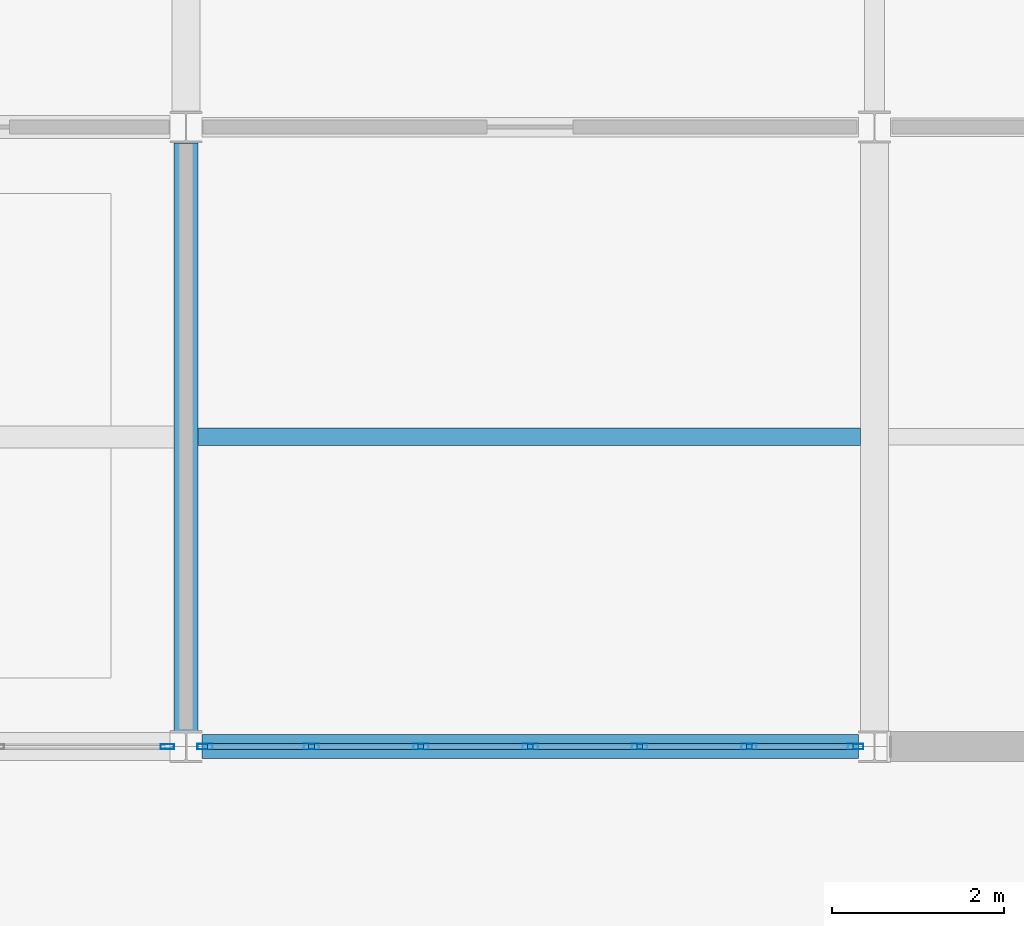
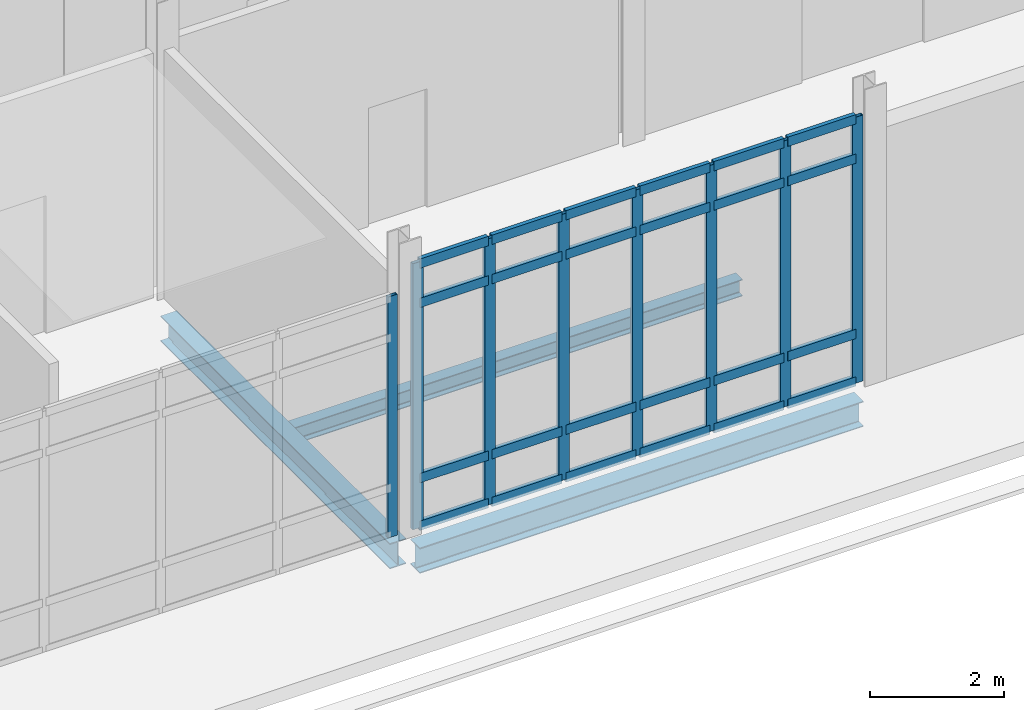
# One storey, part 39 of 229: 32 members, 3 beams, 2 elements without a shape of their own.
"""IFC4 building model written with IfcOpenShell, lengths in metres."""

from ifc_helpers import new_model, si_unit, direction, frame, origin, origin_2d, place, context, subcontext, project, spatial, hollow_rectangle, i_section, extrude, material, layer, layer_set, material_profile, profile_set, type_object, element, aggregate, save


model = new_model("IFC4")

# Units and contexts
model_context = context("Model", 3, precision=1e-05, world=origin(), true_north=direction((0.0, 1.0)))
body_context = subcontext(model_context, "Body", "Model", "MODEL_VIEW")
ifc_project = project(units=[si_unit("LENGTHUNIT", "METRE"), si_unit("AREAUNIT", "SQUARE_METRE"), si_unit("VOLUMEUNIT", "CUBIC_METRE"), si_unit("PLANEANGLEUNIT", "RADIAN"), si_unit("MASSUNIT", "GRAM", prefix="KILO")], contexts=[model_context])

# Site, building, storey
site_placement = place(None, origin())
site = spatial("IfcSite", under=ifc_project, at=site_placement, CompositionType="ELEMENT")
building_placement = place(site_placement, origin())
building = spatial("IfcBuilding", under=site, at=building_placement, Name="Calvrana Isthmian Art Gallery", CompositionType="ELEMENT")
storey_placement = place(building_placement, origin())
storey = spatial("IfcBuildingStorey", under=building, at=storey_placement, Name="L00", CompositionType="ELEMENT", Elevation=0.0)

# Beams
ifc_material_1 = material(Name="Steel ASTM A992 Gr 50", Category="steel")
ifc_material_profile_1 = material_profile(ifc_material_1, i_section(OverallWidth=0.279052734375, OverallDepth=0.4619140625, WebThickness=0.0107421875, FlangeThickness=0.017333984375, FilletRadius=0.02001953125, at=origin_2d()), Name="W18X76")
ifc_profile_set_1 = profile_set([ifc_material_profile_1], Name="Steel ASTM A992 Gr 50")
beam_type_1 = type_object("IfcBeamType", Name="BM-G-W18X76", PredefinedType="BEAM", material=ifc_profile_set_1)
beam_1_placement = place(storey_placement, frame((80.58642578125, 0.0, -0.51611328125), z_axis=(1.0, 0.0, 0.0), x_axis=(0.0, 1.0, 0.0)))
element("IfcBeam", 1, at=beam_1_placement, inside=storey, type_object=beam_type_1, Name="Girder X L00 11-12/A", PredefinedType="BEAM", context=body_context, shape_type="SweptSolid", body=[
    extrude(i_section(OverallWidth=0.279052734375, OverallDepth=0.4619140625, WebThickness=0.0107421875, FlangeThickness=0.017333984375, FilletRadius=0.02001953125, at=origin_2d()), origin(), (0.0, 0.0, 1.0), 7.628173828125),
])
beam_2_placement = place(storey_placement, frame((80.39990234375, 0.18408203125, -0.51611328125), z_axis=(0.0, 1.0, 0.0), x_axis=(-1.0, 0.0, 0.0)))
element("IfcBeam", 2, at=beam_2_placement, inside=storey, type_object=beam_type_1, Name="Girder Y L00 11/A-B", PredefinedType="BEAM", context=body_context, shape_type="SweptSolid", body=[
    extrude(i_section(OverallWidth=0.279052734375, OverallDepth=0.4619140625, WebThickness=0.0107421875, FlangeThickness=0.017333984375, FilletRadius=0.02001953125, at=origin_2d()), origin(), (0.0, 0.0, 1.0), 6.829345703125),
])
ifc_material_profile_2 = material_profile(ifc_material_1, i_section(OverallWidth=0.202880859375, OverallDepth=0.302001953125, WebThickness=0.007568359375, FlangeThickness=0.01318359375, FilletRadius=0.01611328125, at=origin_2d()), Name="W12X40")
ifc_profile_set_2 = profile_set([ifc_material_profile_2], Name="Steel ASTM A992 Gr 50")
beam_type_2 = type_object("IfcBeamType", Name="BM-J-W12X40", PredefinedType="JOIST", material=ifc_profile_set_2)
beam_3_placement = place(storey_placement, frame((80.53955078125, 3.60009765625, -0.43603515625), z_axis=(1.0, 0.0, 0.0), x_axis=(0.0, 1.0, 0.0)))
element("IfcBeam", 3, at=beam_3_placement, inside=storey, type_object=beam_type_2, Name="Composite joist L00 bay 10-00", PredefinedType="JOIST", context=body_context, shape_type="SweptSolid", body=[
    extrude(i_section(OverallWidth=0.202880859375, OverallDepth=0.302001953125, WebThickness=0.007568359375, FlangeThickness=0.01318359375, FilletRadius=0.01611328125, at=origin_2d()), origin(), (0.0, 0.0, 1.0), 7.697998046875),
])

# Curtain wall, member
ifc_material_2 = material(Name="Anodized bronze aluminium 6063-T6", Category="aluminium")
ifc_layer_1 = layer(ifc_material_2, 0.179931640625, Name="Anodized bronze aluminium 6063-T6")
ifc_layer_set_1 = layer_set([ifc_layer_1], Name="Anodized bronze aluminium 6063-T6")
curtain_wall_type_1 = type_object("IfcCurtainWallType", Name="CW-UNIT-080X44", PredefinedType="USERDEFINED", material=ifc_layer_set_1)
curtain_wall_1_placement = place(storey_placement, origin())
curtain_wall_1 = element("IfcCurtainWall", 4, at=curtain_wall_1_placement, inside=storey, type_object=curtain_wall_type_1, Name="Curtain wall CW-007", ObjectType="UNITISED CURTAIN WALL", PredefinedType="USERDEFINED")
ifc_material_profile_3 = material_profile(ifc_material_2, hollow_rectangle(XDim=0.06005859375, YDim=0.159912109375, WallThickness=0.00390625, at=origin_2d()), Name="CWM60X160")
ifc_profile_set_3 = profile_set([ifc_material_profile_3], Name="Anodized bronze aluminium 6063-T6")
member_type_1 = type_object("IfcMemberType", Name="CWM-CWM60X160", PredefinedType="MULLION", material=ifc_profile_set_3)
member_1_placement = place(storey_placement, frame((80.18359375, 0.0, 0.0), z_axis=(0.0, 0.0, 1.0), x_axis=(0.0, -1.0, 0.0)))
member_1 = element("IfcMember", 5, at=member_1_placement, type_object=member_type_1, Name="CW-007 mullion 1", PredefinedType="MULLION", context=body_context, shape_type="SweptSolid", body=[
    extrude(hollow_rectangle(XDim=0.06005859375, YDim=0.159912109375, WallThickness=0.00390625, at=origin_2d()), origin(), (0.0, 0.0, 1.0), 4.3779296875),
])
aggregate(curtain_wall_1, [member_1])

# Curtain wall, members
ifc_layer_2 = layer(ifc_material_2, 0.179931640625, Name="Anodized bronze aluminium 6063-T6")
ifc_layer_set_2 = layer_set([ifc_layer_2], Name="Anodized bronze aluminium 6063-T6")
curtain_wall_type_2 = type_object("IfcCurtainWallType", Name="CW-UNIT-076X48", PredefinedType="USERDEFINED", material=ifc_layer_set_2)
curtain_wall_2_placement = place(storey_placement, origin())
curtain_wall_2 = element("IfcCurtainWall", 6, at=curtain_wall_2_placement, inside=storey, type_object=curtain_wall_type_2, Name="Curtain wall CW-008", ObjectType="UNITISED CURTAIN WALL", PredefinedType="USERDEFINED")
ifc_material_profile_4 = material_profile(ifc_material_2, hollow_rectangle(XDim=0.06494140625, YDim=0.179931640625, WallThickness=0.00439453125, at=origin_2d()), Name="CWM65X180")
ifc_profile_set_4 = profile_set([ifc_material_profile_4], Name="Anodized bronze aluminium 6063-T6")
member_type_2 = type_object("IfcMemberType", Name="CWM-CWM65X180", PredefinedType="MULLION", material=ifc_profile_set_4)
member_2_placement = place(storey_placement, frame((88.180908203125, 0.0, 0.0), z_axis=(0.0, 0.0, 1.0), x_axis=(0.0, -1.0, 0.0)))
member_2 = element("IfcMember", 7, at=member_2_placement, type_object=member_type_2, Name="CW-008 mullion 1", PredefinedType="MULLION", context=body_context, shape_type="SweptSolid", body=[
    extrude(hollow_rectangle(XDim=0.06494140625, YDim=0.179931640625, WallThickness=0.00439453125, at=origin_2d()), origin(), (0.0, 0.0, 1.0), 4.835205078125),
])
member_3_placement = place(storey_placement, frame((86.9423828125, 0.0, 0.0), z_axis=(0.0, 0.0, 1.0), x_axis=(0.0, -1.0, 0.0)))
member_3 = element("IfcMember", 8, at=member_3_placement, type_object=member_type_2, Name="CW-008 mullion 2", PredefinedType="MULLION", context=body_context, shape_type="SweptSolid", body=[
    extrude(hollow_rectangle(XDim=0.06494140625, YDim=0.179931640625, WallThickness=0.00439453125, at=origin_2d()), origin(), (0.0, 0.0, 1.0), 4.835205078125),
])
member_4_placement = place(storey_placement, frame((85.671142578125, 0.0, 0.0), z_axis=(0.0, 0.0, 1.0), x_axis=(0.0, -1.0, 0.0)))
member_4 = element("IfcMember", 9, at=member_4_placement, type_object=member_type_2, Name="CW-008 mullion 3", PredefinedType="MULLION", context=body_context, shape_type="SweptSolid", body=[
    extrude(hollow_rectangle(XDim=0.06494140625, YDim=0.179931640625, WallThickness=0.00439453125, at=origin_2d()), origin(), (0.0, 0.0, 1.0), 4.835205078125),
])
member_5_placement = place(storey_placement, frame((84.39990234375, 0.0, 0.0), z_axis=(0.0, 0.0, 1.0), x_axis=(0.0, -1.0, 0.0)))
member_5 = element("IfcMember", 10, at=member_5_placement, type_object=member_type_2, Name="CW-008 mullion 4", PredefinedType="MULLION", context=body_context, shape_type="SweptSolid", body=[
    extrude(hollow_rectangle(XDim=0.06494140625, YDim=0.179931640625, WallThickness=0.00439453125, at=origin_2d()), origin(), (0.0, 0.0, 1.0), 4.835205078125),
])
member_6_placement = place(storey_placement, frame((83.12890625, 0.0, 0.0), z_axis=(0.0, 0.0, 1.0), x_axis=(0.0, -1.0, 0.0)))
member_6 = element("IfcMember", 11, at=member_6_placement, type_object=member_type_2, Name="CW-008 mullion 5", PredefinedType="MULLION", context=body_context, shape_type="SweptSolid", body=[
    extrude(hollow_rectangle(XDim=0.06494140625, YDim=0.179931640625, WallThickness=0.00439453125, at=origin_2d()), origin(), (0.0, 0.0, 1.0), 4.835205078125),
])
member_7_placement = place(storey_placement, frame((81.857666015625, 0.0, 0.0), z_axis=(0.0, 0.0, 1.0), x_axis=(0.0, -1.0, 0.0)))
member_7 = element("IfcMember", 12, at=member_7_placement, type_object=member_type_2, Name="CW-008 mullion 6", PredefinedType="MULLION", context=body_context, shape_type="SweptSolid", body=[
    extrude(hollow_rectangle(XDim=0.06494140625, YDim=0.179931640625, WallThickness=0.00439453125, at=origin_2d()), origin(), (0.0, 0.0, 1.0), 4.835205078125),
])
member_8_placement = place(storey_placement, frame((80.618896484375, 0.0, 0.0), z_axis=(0.0, 0.0, 1.0), x_axis=(0.0, -1.0, 0.0)))
member_8 = element("IfcMember", 13, at=member_8_placement, type_object=member_type_2, Name="CW-008 mullion 7", PredefinedType="MULLION", context=body_context, shape_type="SweptSolid", body=[
    extrude(hollow_rectangle(XDim=0.06494140625, YDim=0.179931640625, WallThickness=0.00439453125, at=origin_2d()), origin(), (0.0, 0.0, 1.0), 4.835205078125),
])
ifc_material_profile_5 = material_profile(ifc_material_2, hollow_rectangle(XDim=0.070068359375, YDim=0.169921875, WallThickness=0.00439453125, at=origin_2d()), Name="CWT70X170")
ifc_profile_set_5 = profile_set([ifc_material_profile_5], Name="Anodized bronze aluminium 6063-T6")
member_type_3 = type_object("IfcMemberType", Name="CWT-CWT70X170", PredefinedType="USERDEFINED", material=ifc_profile_set_5)
member_9_placement = place(storey_placement, frame((88.1484375, 0.0, 0.034912109375), z_axis=(-1.0, 0.0, 0.0), x_axis=(0.0, -1.0, 0.0)))
member_9 = element("IfcMember", 14, at=member_9_placement, type_object=member_type_3, Name="CW-008 transom 1.1", ObjectType="TRANSOM", PredefinedType="USERDEFINED", context=body_context, shape_type="SweptSolid", body=[
    extrude(hollow_rectangle(XDim=0.070068359375, YDim=0.169921875, WallThickness=0.00439453125, at=origin_2d()), origin(), (0.0, 0.0, 1.0), 1.173583984375),
])
member_10_placement = place(storey_placement, frame((88.1484375, 0.0, 0.89990234375), z_axis=(-1.0, 0.0, 0.0), x_axis=(0.0, -1.0, 0.0)))
member_10 = element("IfcMember", 15, at=member_10_placement, type_object=member_type_3, Name="CW-008 transom 1.2", ObjectType="TRANSOM", PredefinedType="USERDEFINED", context=body_context, shape_type="SweptSolid", body=[
    extrude(hollow_rectangle(XDim=0.070068359375, YDim=0.169921875, WallThickness=0.00439453125, at=origin_2d()), origin(), (0.0, 0.0, 1.0), 1.173583984375),
])
member_11_placement = place(storey_placement, frame((88.1484375, 0.0, 4.085205078125), z_axis=(-1.0, 0.0, 0.0), x_axis=(0.0, -1.0, 0.0)))
member_11 = element("IfcMember", 16, at=member_11_placement, type_object=member_type_3, Name="CW-008 transom 1.3", ObjectType="TRANSOM", PredefinedType="USERDEFINED", context=body_context, shape_type="SweptSolid", body=[
    extrude(hollow_rectangle(XDim=0.070068359375, YDim=0.169921875, WallThickness=0.00439453125, at=origin_2d()), origin(), (0.0, 0.0, 1.0), 1.173583984375),
])
member_12_placement = place(storey_placement, frame((88.1484375, 0.0, 4.80029296875), z_axis=(-1.0, 0.0, 0.0), x_axis=(0.0, -1.0, 0.0)))
member_12 = element("IfcMember", 17, at=member_12_placement, type_object=member_type_3, Name="CW-008 transom 1.4", ObjectType="TRANSOM", PredefinedType="USERDEFINED", context=body_context, shape_type="SweptSolid", body=[
    extrude(hollow_rectangle(XDim=0.070068359375, YDim=0.169921875, WallThickness=0.00439453125, at=origin_2d()), origin(), (0.0, 0.0, 1.0), 1.173583984375),
])
member_13_placement = place(storey_placement, frame((86.909912109375, 0.0, 0.034912109375), z_axis=(-1.0, 0.0, 0.0), x_axis=(0.0, -1.0, 0.0)))
member_13 = element("IfcMember", 18, at=member_13_placement, type_object=member_type_3, Name="CW-008 transom 2.1", ObjectType="TRANSOM", PredefinedType="USERDEFINED", context=body_context, shape_type="SweptSolid", body=[
    extrude(hollow_rectangle(XDim=0.070068359375, YDim=0.169921875, WallThickness=0.00439453125, at=origin_2d()), origin(), (0.0, 0.0, 1.0), 1.206298828125),
])
member_14_placement = place(storey_placement, frame((86.909912109375, 0.0, 0.89990234375), z_axis=(-1.0, 0.0, 0.0), x_axis=(0.0, -1.0, 0.0)))
member_14 = element("IfcMember", 19, at=member_14_placement, type_object=member_type_3, Name="CW-008 transom 2.2", ObjectType="TRANSOM", PredefinedType="USERDEFINED", context=body_context, shape_type="SweptSolid", body=[
    extrude(hollow_rectangle(XDim=0.070068359375, YDim=0.169921875, WallThickness=0.00439453125, at=origin_2d()), origin(), (0.0, 0.0, 1.0), 1.206298828125),
])
member_15_placement = place(storey_placement, frame((86.909912109375, 0.0, 4.085205078125), z_axis=(-1.0, 0.0, 0.0), x_axis=(0.0, -1.0, 0.0)))
member_15 = element("IfcMember", 20, at=member_15_placement, type_object=member_type_3, Name="CW-008 transom 2.3", ObjectType="TRANSOM", PredefinedType="USERDEFINED", context=body_context, shape_type="SweptSolid", body=[
    extrude(hollow_rectangle(XDim=0.070068359375, YDim=0.169921875, WallThickness=0.00439453125, at=origin_2d()), origin(), (0.0, 0.0, 1.0), 1.206298828125),
])
member_16_placement = place(storey_placement, frame((86.909912109375, 0.0, 4.80029296875), z_axis=(-1.0, 0.0, 0.0), x_axis=(0.0, -1.0, 0.0)))
member_16 = element("IfcMember", 21, at=member_16_placement, type_object=member_type_3, Name="CW-008 transom 2.4", ObjectType="TRANSOM", PredefinedType="USERDEFINED", context=body_context, shape_type="SweptSolid", body=[
    extrude(hollow_rectangle(XDim=0.070068359375, YDim=0.169921875, WallThickness=0.00439453125, at=origin_2d()), origin(), (0.0, 0.0, 1.0), 1.206298828125),
])
member_17_placement = place(storey_placement, frame((85.638671875, 0.0, 0.034912109375), z_axis=(-1.0, 0.0, 0.0), x_axis=(0.0, -1.0, 0.0)))
member_17 = element("IfcMember", 22, at=member_17_placement, type_object=member_type_3, Name="CW-008 transom 3.1", ObjectType="TRANSOM", PredefinedType="USERDEFINED", context=body_context, shape_type="SweptSolid", body=[
    extrude(hollow_rectangle(XDim=0.070068359375, YDim=0.169921875, WallThickness=0.00439453125, at=origin_2d()), origin(), (0.0, 0.0, 1.0), 1.2060546875),
])
member_18_placement = place(storey_placement, frame((85.638671875, 0.0, 0.89990234375), z_axis=(-1.0, 0.0, 0.0), x_axis=(0.0, -1.0, 0.0)))
member_18 = element("IfcMember", 23, at=member_18_placement, type_object=member_type_3, Name="CW-008 transom 3.2", ObjectType="TRANSOM", PredefinedType="USERDEFINED", context=body_context, shape_type="SweptSolid", body=[
    extrude(hollow_rectangle(XDim=0.070068359375, YDim=0.169921875, WallThickness=0.00439453125, at=origin_2d()), origin(), (0.0, 0.0, 1.0), 1.2060546875),
])
member_19_placement = place(storey_placement, frame((85.638671875, 0.0, 4.085205078125), z_axis=(-1.0, 0.0, 0.0), x_axis=(0.0, -1.0, 0.0)))
member_19 = element("IfcMember", 24, at=member_19_placement, type_object=member_type_3, Name="CW-008 transom 3.3", ObjectType="TRANSOM", PredefinedType="USERDEFINED", context=body_context, shape_type="SweptSolid", body=[
    extrude(hollow_rectangle(XDim=0.070068359375, YDim=0.169921875, WallThickness=0.00439453125, at=origin_2d()), origin(), (0.0, 0.0, 1.0), 1.2060546875),
])
member_20_placement = place(storey_placement, frame((85.638671875, 0.0, 4.80029296875), z_axis=(-1.0, 0.0, 0.0), x_axis=(0.0, -1.0, 0.0)))
member_20 = element("IfcMember", 25, at=member_20_placement, type_object=member_type_3, Name="CW-008 transom 3.4", ObjectType="TRANSOM", PredefinedType="USERDEFINED", context=body_context, shape_type="SweptSolid", body=[
    extrude(hollow_rectangle(XDim=0.070068359375, YDim=0.169921875, WallThickness=0.00439453125, at=origin_2d()), origin(), (0.0, 0.0, 1.0), 1.2060546875),
])
member_21_placement = place(storey_placement, frame((84.367431640625, 0.0, 0.034912109375), z_axis=(-1.0, 0.0, 0.0), x_axis=(0.0, -1.0, 0.0)))
member_21 = element("IfcMember", 26, at=member_21_placement, type_object=member_type_3, Name="CW-008 transom 4.1", ObjectType="TRANSOM", PredefinedType="USERDEFINED", context=body_context, shape_type="SweptSolid", body=[
    extrude(hollow_rectangle(XDim=0.070068359375, YDim=0.169921875, WallThickness=0.00439453125, at=origin_2d()), origin(), (0.0, 0.0, 1.0), 1.2060546875),
])
member_22_placement = place(storey_placement, frame((84.367431640625, 0.0, 0.89990234375), z_axis=(-1.0, 0.0, 0.0), x_axis=(0.0, -1.0, 0.0)))
member_22 = element("IfcMember", 27, at=member_22_placement, type_object=member_type_3, Name="CW-008 transom 4.2", ObjectType="TRANSOM", PredefinedType="USERDEFINED", context=body_context, shape_type="SweptSolid", body=[
    extrude(hollow_rectangle(XDim=0.070068359375, YDim=0.169921875, WallThickness=0.00439453125, at=origin_2d()), origin(), (0.0, 0.0, 1.0), 1.2060546875),
])
member_23_placement = place(storey_placement, frame((84.367431640625, 0.0, 4.085205078125), z_axis=(-1.0, 0.0, 0.0), x_axis=(0.0, -1.0, 0.0)))
member_23 = element("IfcMember", 28, at=member_23_placement, type_object=member_type_3, Name="CW-008 transom 4.3", ObjectType="TRANSOM", PredefinedType="USERDEFINED", context=body_context, shape_type="SweptSolid", body=[
    extrude(hollow_rectangle(XDim=0.070068359375, YDim=0.169921875, WallThickness=0.00439453125, at=origin_2d()), origin(), (0.0, 0.0, 1.0), 1.2060546875),
])
member_24_placement = place(storey_placement, frame((84.367431640625, 0.0, 4.80029296875), z_axis=(-1.0, 0.0, 0.0), x_axis=(0.0, -1.0, 0.0)))
member_24 = element("IfcMember", 29, at=member_24_placement, type_object=member_type_3, Name="CW-008 transom 4.4", ObjectType="TRANSOM", PredefinedType="USERDEFINED", context=body_context, shape_type="SweptSolid", body=[
    extrude(hollow_rectangle(XDim=0.070068359375, YDim=0.169921875, WallThickness=0.00439453125, at=origin_2d()), origin(), (0.0, 0.0, 1.0), 1.2060546875),
])
member_25_placement = place(storey_placement, frame((83.096435546875, 0.0, 0.034912109375), z_axis=(-1.0, 0.0, 0.0), x_axis=(0.0, -1.0, 0.0)))
member_25 = element("IfcMember", 30, at=member_25_placement, type_object=member_type_3, Name="CW-008 transom 5.1", ObjectType="TRANSOM", PredefinedType="USERDEFINED", context=body_context, shape_type="SweptSolid", body=[
    extrude(hollow_rectangle(XDim=0.070068359375, YDim=0.169921875, WallThickness=0.00439453125, at=origin_2d()), origin(), (0.0, 0.0, 1.0), 1.206298828125),
])
member_26_placement = place(storey_placement, frame((83.096435546875, 0.0, 0.89990234375), z_axis=(-1.0, 0.0, 0.0), x_axis=(0.0, -1.0, 0.0)))
member_26 = element("IfcMember", 31, at=member_26_placement, type_object=member_type_3, Name="CW-008 transom 5.2", ObjectType="TRANSOM", PredefinedType="USERDEFINED", context=body_context, shape_type="SweptSolid", body=[
    extrude(hollow_rectangle(XDim=0.070068359375, YDim=0.169921875, WallThickness=0.00439453125, at=origin_2d()), origin(), (0.0, 0.0, 1.0), 1.206298828125),
])
member_27_placement = place(storey_placement, frame((83.096435546875, 0.0, 4.085205078125), z_axis=(-1.0, 0.0, 0.0), x_axis=(0.0, -1.0, 0.0)))
member_27 = element("IfcMember", 32, at=member_27_placement, type_object=member_type_3, Name="CW-008 transom 5.3", ObjectType="TRANSOM", PredefinedType="USERDEFINED", context=body_context, shape_type="SweptSolid", body=[
    extrude(hollow_rectangle(XDim=0.070068359375, YDim=0.169921875, WallThickness=0.00439453125, at=origin_2d()), origin(), (0.0, 0.0, 1.0), 1.206298828125),
])
member_28_placement = place(storey_placement, frame((83.096435546875, 0.0, 4.80029296875), z_axis=(-1.0, 0.0, 0.0), x_axis=(0.0, -1.0, 0.0)))
member_28 = element("IfcMember", 33, at=member_28_placement, type_object=member_type_3, Name="CW-008 transom 5.4", ObjectType="TRANSOM", PredefinedType="USERDEFINED", context=body_context, shape_type="SweptSolid", body=[
    extrude(hollow_rectangle(XDim=0.070068359375, YDim=0.169921875, WallThickness=0.00439453125, at=origin_2d()), origin(), (0.0, 0.0, 1.0), 1.206298828125),
])
member_29_placement = place(storey_placement, frame((81.8251953125, 0.0, 0.034912109375), z_axis=(-1.0, 0.0, 0.0), x_axis=(0.0, -1.0, 0.0)))
member_29 = element("IfcMember", 34, at=member_29_placement, type_object=member_type_3, Name="CW-008 transom 6.1", ObjectType="TRANSOM", PredefinedType="USERDEFINED", context=body_context, shape_type="SweptSolid", body=[
    extrude(hollow_rectangle(XDim=0.070068359375, YDim=0.169921875, WallThickness=0.00439453125, at=origin_2d()), origin(), (0.0, 0.0, 1.0), 1.173583984375),
])
member_30_placement = place(storey_placement, frame((81.8251953125, 0.0, 0.89990234375), z_axis=(-1.0, 0.0, 0.0), x_axis=(0.0, -1.0, 0.0)))
member_30 = element("IfcMember", 35, at=member_30_placement, type_object=member_type_3, Name="CW-008 transom 6.2", ObjectType="TRANSOM", PredefinedType="USERDEFINED", context=body_context, shape_type="SweptSolid", body=[
    extrude(hollow_rectangle(XDim=0.070068359375, YDim=0.169921875, WallThickness=0.00439453125, at=origin_2d()), origin(), (0.0, 0.0, 1.0), 1.173583984375),
])
member_31_placement = place(storey_placement, frame((81.8251953125, 0.0, 4.085205078125), z_axis=(-1.0, 0.0, 0.0), x_axis=(0.0, -1.0, 0.0)))
member_31 = element("IfcMember", 36, at=member_31_placement, type_object=member_type_3, Name="CW-008 transom 6.3", ObjectType="TRANSOM", PredefinedType="USERDEFINED", context=body_context, shape_type="SweptSolid", body=[
    extrude(hollow_rectangle(XDim=0.070068359375, YDim=0.169921875, WallThickness=0.00439453125, at=origin_2d()), origin(), (0.0, 0.0, 1.0), 1.173583984375),
])
member_32_placement = place(storey_placement, frame((81.8251953125, 0.0, 4.80029296875), z_axis=(-1.0, 0.0, 0.0), x_axis=(0.0, -1.0, 0.0)))
member_32 = element("IfcMember", 37, at=member_32_placement, type_object=member_type_3, Name="CW-008 transom 6.4", ObjectType="TRANSOM", PredefinedType="USERDEFINED", context=body_context, shape_type="SweptSolid", body=[
    extrude(hollow_rectangle(XDim=0.070068359375, YDim=0.169921875, WallThickness=0.00439453125, at=origin_2d()), origin(), (0.0, 0.0, 1.0), 1.173583984375),
])
aggregate(curtain_wall_2, [member_2, member_3, member_4, member_5, member_6, member_7, member_8, member_9, member_10, member_11, member_12, member_13, member_14, member_15, member_16, member_17, member_18, member_19, member_20, member_21, member_22, member_23, member_24, member_25, member_26, member_27, member_28, member_29, member_30, member_31, member_32])

save(model, "model.ifc")
